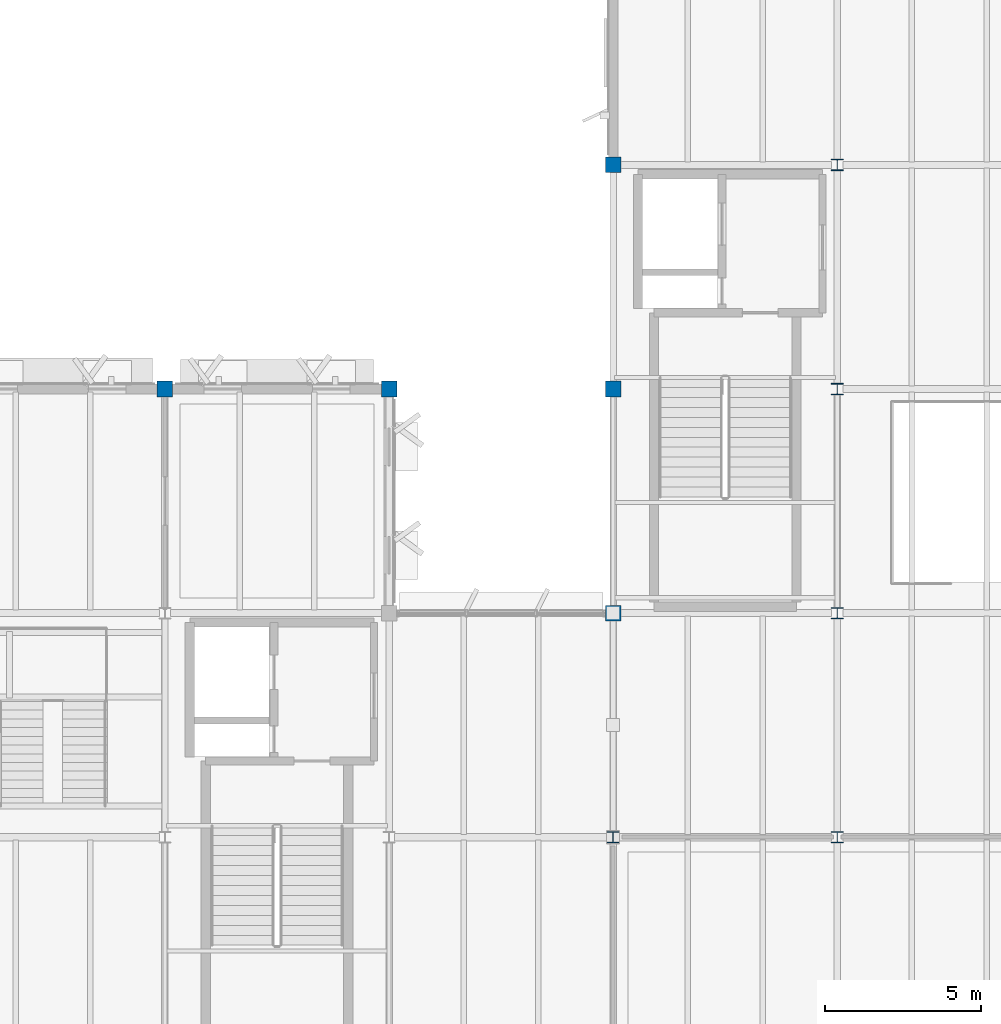
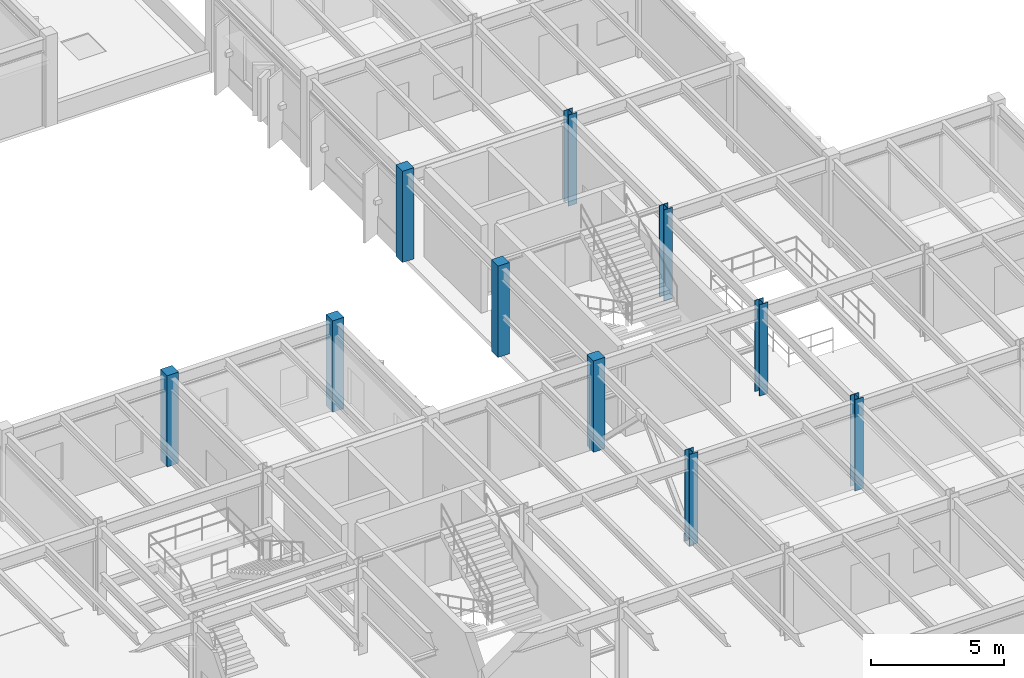
# One storey, part 8 of 85: 10 columns.
"""IFC4 building model written with IfcOpenShell, lengths in metres."""

from ifc_helpers import new_model, si_unit, direction, frame, origin, origin_2d, place, context, subcontext, project, spatial, rectangle, i_section, extrude, material, material_profile, profile_set, type_object, element, save


model = new_model("IFC4")

# Units and contexts
model_context = context("Model", 3, precision=1e-05, world=origin(), true_north=direction((0.0, 1.0)))
body_context = subcontext(model_context, "Body", "Model", "MODEL_VIEW")
ifc_project = project(units=[si_unit("LENGTHUNIT", "METRE"), si_unit("AREAUNIT", "SQUARE_METRE"), si_unit("VOLUMEUNIT", "CUBIC_METRE"), si_unit("PLANEANGLEUNIT", "RADIAN"), si_unit("MASSUNIT", "GRAM", prefix="KILO")], contexts=[model_context])

# Site, building, storey
site_placement = place(None, origin())
site = spatial("IfcSite", under=ifc_project, at=site_placement, CompositionType="ELEMENT")
building_placement = place(site_placement, origin())
building = spatial("IfcBuilding", under=site, at=building_placement, Name="Sillqori Civic Hall", CompositionType="ELEMENT")
storey_placement = place(building_placement, frame((0.0, 0.0, 9.89990234375)))
storey = spatial("IfcBuildingStorey", under=building, at=storey_placement, Name="L03", CompositionType="ELEMENT", Elevation=9.89990234375)

# Columns
ifc_material_1 = material(Name="Concrete C35/45 (H35)", Category="concrete")
ifc_material_profile_1 = material_profile(ifc_material_1, rectangle(XDim=0.5, YDim=0.5, at=origin_2d()), Name="RC 500x500")
ifc_profile_set_1 = profile_set([ifc_material_profile_1], Name="Concrete C35/45 (H35)")
column_type_1 = type_object("IfcColumnType", Name="COL-RC500", PredefinedType="COLUMN", material=ifc_profile_set_1)
for number, where, z_axis, x_axis, name in (
    (1, (108.0, 57.60009765625, 0.0), (0.0, 0.0, 1.0), (1.0, 0.0, 0.0), "L03 column 15-8"),
    (2, (115.199951171875, 57.60009765625, 0.0), (0.0, 0.0, 1.0), (1.0, 0.0, 0.0), "L03 column 16-8"),
    (3, (122.39990234375, 50.39990234375, 0.0), (0.0, 0.0, 1.0), (1.0, 0.0, 0.0), "L03 column 17-7"),
    (4, (122.39990234375, 57.60009765625, 0.0), (0.0, 0.0, 1.0), (1.0, 0.0, 0.0), "L03 column 17-8"),
    (5, (122.39990234375, 64.800048828125, 0.0), (0.0, 0.0, 1.0), (1.0, 0.0, 0.0), "L03 column 17-9"),
):
    element("IfcColumn", number, at=place(storey_placement, frame(where, z_axis=z_axis, x_axis=x_axis)), inside=storey, type_object=column_type_1, Name=name, PredefinedType="COLUMN", context=body_context, shape_type="SweptSolid", body=[
        extrude(rectangle(XDim=0.5, YDim=0.5, at=origin_2d()), origin(), (0.0, 0.0, 1.0), 4.2001953125),
    ])
ifc_material_2 = material(Name="Steel ASTM A992", Category="steel")
ifc_material_profile_2 = material_profile(ifc_material_2, i_section(OverallWidth=0.37109375, OverallDepth=0.361083984375, WebThickness=0.012451171875, FlangeThickness=0.019775390625, FilletRadius=0.014892578125, at=origin_2d()), Name="W14X99")
ifc_profile_set_2 = profile_set([ifc_material_profile_2], Name="Steel ASTM A992")
column_type_2 = type_object("IfcColumnType", Name="COL-W14X99", PredefinedType="COLUMN", material=ifc_profile_set_2)
for number, where, z_axis, x_axis, name in (
    (6, (122.39990234375, 43.199951171875, 0.0), (0.0, 0.0, 1.0), (1.0, 0.0, 0.0), "L03 column 17-6"),
    (7, (129.60009765625, 43.199951171875, 0.0), (0.0, 0.0, 1.0), (1.0, 0.0, 0.0), "L03 column 18-6"),
    (8, (129.60009765625, 50.39990234375, 0.0), (0.0, 0.0, 1.0), (1.0, 0.0, 0.0), "L03 column 18-7"),
    (9, (129.60009765625, 57.60009765625, 0.0), (0.0, 0.0, 1.0), (1.0, 0.0, 0.0), "L03 column 18-8"),
    (10, (129.60009765625, 64.800048828125, 0.0), (0.0, 0.0, 1.0), (1.0, 0.0, 0.0), "L03 column 18-9"),
):
    element("IfcColumn", number, at=place(storey_placement, frame(where, z_axis=z_axis, x_axis=x_axis)), inside=storey, type_object=column_type_2, Name=name, PredefinedType="COLUMN", context=body_context, shape_type="SweptSolid", body=[
        extrude(i_section(OverallWidth=0.37109375, OverallDepth=0.361083984375, WebThickness=0.012451171875, FlangeThickness=0.019775390625, FilletRadius=0.014892578125, at=origin_2d()), origin(), (0.0, 0.0, 1.0), 4.2001953125),
    ])

save(model, "model.ifc")
